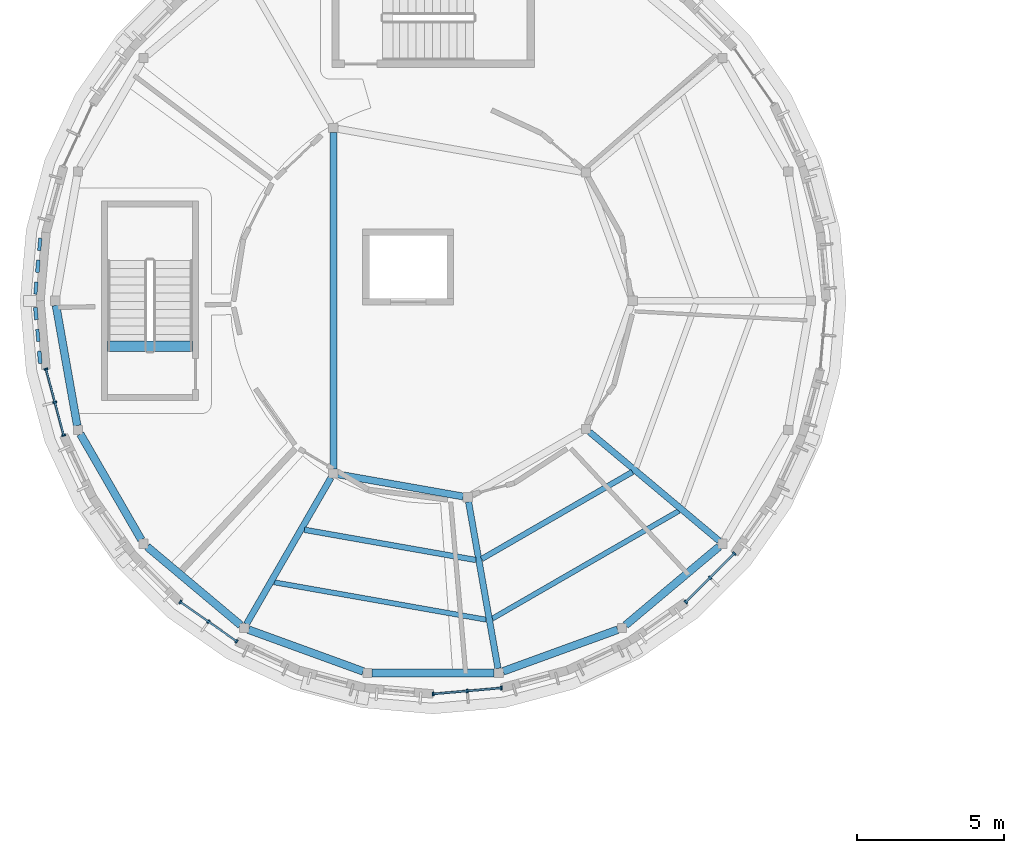
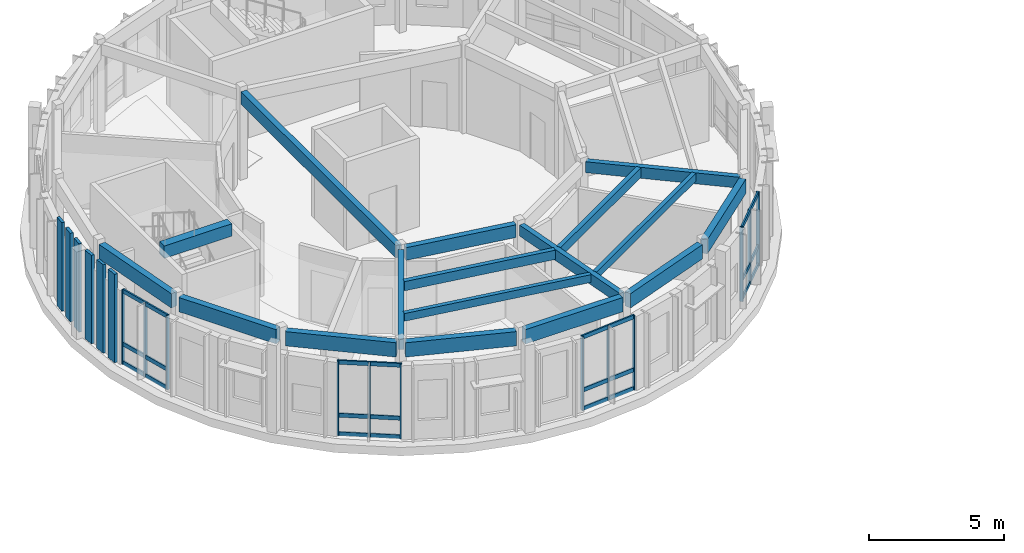
# One storey, part 6 of 37: 30 members, 17 beams, 4 elements without a shape of their own.
"""IFC4 building model written with IfcOpenShell, lengths in metres."""

from ifc_helpers import new_model, si_unit, direction, frame, origin, origin_2d, place, context, subcontext, project, spatial, rectangle, extrude, material, layer, layer_set, material_profile, profile_set, type_object, element, aggregate, save


model = new_model("IFC4")

# Units and contexts
model_context = context("Model", 3, precision=1e-05, world=origin(), true_north=direction((0.0, 1.0)))
body_context = subcontext(model_context, "Body", "Model", "MODEL_VIEW")
ifc_project = project(units=[si_unit("LENGTHUNIT", "METRE"), si_unit("AREAUNIT", "SQUARE_METRE"), si_unit("VOLUMEUNIT", "CUBIC_METRE"), si_unit("PLANEANGLEUNIT", "RADIAN"), si_unit("MASSUNIT", "GRAM", prefix="KILO")], contexts=[model_context])

# Site, building, storey
site_placement = place(None, origin())
site = spatial("IfcSite", under=ifc_project, at=site_placement, CompositionType="ELEMENT")
building_placement = place(site_placement, origin())
building = spatial("IfcBuilding", under=site, at=building_placement, Name="Aldenvaro Health Centre", CompositionType="ELEMENT")
storey_placement = place(building_placement, frame((0.0, 0.0, 12.949951171875)))
storey = spatial("IfcBuildingStorey", under=building, at=storey_placement, Name="L03", CompositionType="ELEMENT", Elevation=12.949951171875)

# Beams
ifc_material_1 = material(Name="Glulam GL28h", Category="wood")
ifc_material_profile_1 = material_profile(ifc_material_1, rectangle(XDim=0.175048828125, YDim=0.35009765625, at=origin_2d()), Name="GL 175x350", Category="wood")
ifc_profile_set_1 = profile_set([ifc_material_profile_1], Name="Glulam GL28h")
beam_type_1 = type_object("IfcBeamType", Name="BM-GL-350", PredefinedType="JOIST", material=ifc_profile_set_1)
beam_1_placement = place(storey_placement, frame((13.077880859375, 89.906982421875, 3.820068359375), z_axis=(0.984808635893, -0.173643170525, 0.0), x_axis=(0.173643170525, 0.984808635893, 0.0)))
element("IfcBeam", 1, at=beam_1_placement, inside=storey, type_object=beam_type_1, Name="D4 L03 secondary joist 04.2", PredefinedType="JOIST", context=body_context, shape_type="SweptSolid", body=[
    extrude(rectangle(XDim=0.175048828125, YDim=0.35009765625, at=origin_2d()), origin(), (0.0, 0.0, 1.0), 7.34765625),
])
beam_2_placement = place(storey_placement, frame((20.512939453125, 88.666015625, 3.820068359375), z_axis=(0.866036760986, 0.499980328234, 0.0), x_axis=(-0.499980328234, 0.866036760986, 0.0)))
element("IfcBeam", 2, at=beam_2_placement, inside=storey, type_object=beam_type_1, Name="D4 L03 secondary joist 05.2", PredefinedType="JOIST", context=body_context, shape_type="SweptSolid", body=[
    extrude(rectangle(XDim=0.175048828125, YDim=0.35009765625, at=origin_2d()), origin(), (0.0, 0.0, 1.0), 7.348388671875),
])
ifc_material_profile_2 = material_profile(ifc_material_1, rectangle(XDim=0.18994140625, YDim=0.41796875, at=origin_2d()), Name="GL 190x418", Category="wood")
ifc_profile_set_2 = profile_set([ifc_material_profile_2], Name="Glulam GL28h")
beam_type_2 = type_object("IfcBeamType", Name="BM-GL-418", PredefinedType="JOIST", material=ifc_profile_set_2)
beam_3_placement = place(storey_placement, frame((14.111083984375, 91.697021484375, 3.7861328125), z_axis=(0.98479184112, -0.173738394329, 0.0), x_axis=(0.173738394329, 0.98479184112, 0.0)))
element("IfcBeam", 3, at=beam_3_placement, inside=storey, type_object=beam_type_2, Name="D4 L03 secondary joist 04.1", PredefinedType="JOIST", context=body_context, shape_type="SweptSolid", body=[
    extrude(rectangle(XDim=0.18994140625, YDim=0.41796875, at=origin_2d()), origin(), (0.0, 0.0, 1.0), 5.934326171875),
])
beam_4_placement = place(storey_placement, frame((20.154052734375, 90.700927734375, 3.7861328125), z_axis=(0.866019093774, 0.5000109291, 0.0), x_axis=(-0.5000109291, 0.866019093774, 0.0)))
element("IfcBeam", 4, at=beam_4_placement, inside=storey, type_object=beam_type_2, Name="D4 L03 secondary joist 05.1", PredefinedType="JOIST", context=body_context, shape_type="SweptSolid", body=[
    extrude(rectangle(XDim=0.18994140625, YDim=0.41796875, at=origin_2d()), origin(), (0.0, 0.0, 1.0), 5.933837890625),
])
ifc_material_profile_3 = material_profile(ifc_material_1, rectangle(XDim=0.215087890625, YDim=0.493896484375, at=origin_2d()), Name="GL 215x494", Category="wood")
ifc_profile_set_3 = profile_set([ifc_material_profile_3], Name="Glulam GL28h")
beam_type_3 = type_object("IfcBeamType", Name="BM-GL-494", PredefinedType="BEAM", material=ifc_profile_set_3)
beam_5_placement = place(storey_placement, frame((15.02099609375, 93.47509765625, 3.748046875), z_axis=(-0.499905742083, -0.866079816779, 0.0), x_axis=(0.866079816779, -0.499905742083, 0.0)))
element("IfcBeam", 5, at=beam_5_placement, inside=storey, type_object=beam_type_3, Name="D4 L03 radial beam 04", PredefinedType="BEAM", context=body_context, shape_type="SweptSolid", body=[
    extrude(rectangle(XDim=0.215087890625, YDim=0.493896484375, at=origin_2d()), origin(), (0.0, 0.0, 1.0), 5.76513671875),
])
beam_6_placement = place(storey_placement, frame((19.7080078125, 92.64794921875, 3.748046875), z_axis=(0.173807077658, -0.984779721438, 0.0), x_axis=(0.984779721438, 0.173807077658, 0.0)))
element("IfcBeam", 6, at=beam_6_placement, inside=storey, type_object=beam_type_3, Name="D4 L03 radial beam 05", PredefinedType="BEAM", context=body_context, shape_type="SweptSolid", body=[
    extrude(rectangle(XDim=0.215087890625, YDim=0.493896484375, at=origin_2d()), origin(), (0.0, 0.0, 1.0), 5.7646484375),
])
beam_7_placement = place(storey_placement, frame((23.830078125, 95.028076171875, 3.748046875), z_axis=(0.765995106671, -0.642846401994, 0.0), x_axis=(0.642846401994, 0.765995106671, 0.0)))
element("IfcBeam", 7, at=beam_7_placement, inside=storey, type_object=beam_type_3, Name="D4 L03 radial beam 06", PredefinedType="BEAM", context=body_context, shape_type="SweptSolid", body=[
    extrude(rectangle(XDim=0.215087890625, YDim=0.493896484375, at=origin_2d()), origin(), (0.0, 0.0, 1.0), 5.76513671875),
])
ifc_material_profile_4 = material_profile(ifc_material_1, rectangle(XDim=0.239990234375, YDim=0.570068359375, at=origin_2d()), Name="GL 240x570", Category="wood")
ifc_profile_set_4 = profile_set([ifc_material_profile_4], Name="Glulam GL28h")
beam_type_4 = type_object("IfcBeamType", Name="BM-GL-570", PredefinedType="BEAM", material=ifc_profile_set_4)
beam_8_placement = place(storey_placement, frame((15.10009765625, 105.23095703125, 3.7099609375), z_axis=(0.0, -1.0, 0.0), x_axis=(1.0, 0.0, 0.0)))
element("IfcBeam", 8, at=beam_8_placement, inside=storey, type_object=beam_type_4, Name="D4 L03 inner ring beam 03", PredefinedType="BEAM", context=body_context, shape_type="SweptSolid", body=[
    extrude(rectangle(XDim=0.239990234375, YDim=0.570068359375, at=origin_2d()), origin(), (0.0, 0.0, 1.0), 11.4619140625),
])
beam_9_placement = place(storey_placement, frame((15.2548828125, 93.583984375, 3.7099609375), z_axis=(0.984775623993, -0.173830291922, 0.0), x_axis=(0.173830291922, 0.984775623993, 0.0)))
element("IfcBeam", 9, at=beam_9_placement, inside=storey, type_object=beam_type_4, Name="D4 L03 inner ring beam 04", PredefinedType="BEAM", context=body_context, shape_type="SweptSolid", body=[
    extrude(rectangle(XDim=0.239990234375, YDim=0.570068359375, at=origin_2d()), origin(), (0.0, 0.0, 1.0), 4.3369140625),
])
ifc_material_profile_5 = material_profile(ifc_material_1, rectangle(XDim=0.264892578125, YDim=0.64599609375, at=origin_2d()), Name="GL 265x646", Category="wood")
ifc_profile_set_5 = profile_set([ifc_material_profile_5], Name="Glulam GL28h")
beam_type_5 = type_object("IfcBeamType", Name="BM-GL-646", PredefinedType="SPANDREL", material=ifc_profile_set_5)
for number, where, z_axis, x_axis, name in (
    (10, (5.64697265625, 99.344970703125, 3.672119140625), (0.173902558049, -0.984762865011, 0.0), (0.984762865011, 0.173902558049, 0.0), "D4 L03 perimeter spandrel 10"),
    (11, (6.47607421875, 94.958984375, 3.672119140625), (0.499681792437, -0.866209043076, 0.0), (0.866209043076, 0.499681792437, 0.0), "D4 L03 perimeter spandrel 11"),
):
    element("IfcBeam", number, at=place(storey_placement, frame(where, z_axis=z_axis, x_axis=x_axis)), inside=storey, type_object=beam_type_5, Name=name, PredefinedType="SPANDREL", context=body_context, shape_type="SweptSolid", body=[
        extrude(rectangle(XDim=0.264892578125, YDim=0.64599609375, at=origin_2d()), origin(), (0.0, 0.0, 1.0), 4.158447265625),
    ])
beam_10_placement = place(storey_placement, frame((8.75390625, 91.1201171875, 3.672119140625), z_axis=(0.765983546938, -0.642860175948, 0.0), x_axis=(0.642860175948, 0.765983546938, 0.0)))
element("IfcBeam", 12, at=beam_10_placement, inside=storey, type_object=beam_type_5, Name="D4 L03 perimeter spandrel 12", PredefinedType="SPANDREL", context=body_context, shape_type="SweptSolid", body=[
    extrude(rectangle(XDim=0.264892578125, YDim=0.64599609375, at=origin_2d()), origin(), (0.0, 0.0, 1.0), 4.158203125),
])
beam_11_placement = place(storey_placement, frame((12.2080078125, 88.2919921875, 3.672119140625), z_axis=(0.93970423921, -0.341988220281, 0.0), x_axis=(0.341988220281, 0.93970423921, 0.0)))
element("IfcBeam", 13, at=beam_11_placement, inside=storey, type_object=beam_type_5, Name="D4 L03 perimeter spandrel 13", PredefinedType="SPANDREL", context=body_context, shape_type="SweptSolid", body=[
    extrude(rectangle(XDim=0.264892578125, YDim=0.64599609375, at=origin_2d()), origin(), (0.0, 0.0, 1.0), 4.15771484375),
])
beam_12_placement = place(storey_placement, frame((16.4208984375, 86.81591796875, 3.672119140625), z_axis=(1.0, 0.0, 0.0), x_axis=(0.0, 1.0, 0.0)))
element("IfcBeam", 14, at=beam_12_placement, inside=storey, type_object=beam_type_5, Name="D4 L03 perimeter spandrel 14", PredefinedType="SPANDREL", context=body_context, shape_type="SweptSolid", body=[
    extrude(rectangle(XDim=0.264892578125, YDim=0.64599609375, at=origin_2d()), origin(), (0.0, 0.0, 1.0), 4.158203125),
])
beam_13_placement = place(storey_placement, frame((20.885009765625, 86.8701171875, 3.672119140625), z_axis=(0.93970423921, 0.341988220281, 0.0), x_axis=(-0.341988220281, 0.93970423921, 0.0)))
element("IfcBeam", 15, at=beam_13_placement, inside=storey, type_object=beam_type_5, Name="D4 L03 perimeter spandrel 15", PredefinedType="SPANDREL", context=body_context, shape_type="SweptSolid", body=[
    extrude(rectangle(XDim=0.264892578125, YDim=0.64599609375, at=origin_2d()), origin(), (0.0, 0.0, 1.0), 4.15771484375),
])
beam_14_placement = place(storey_placement, frame((25.06103515625, 88.447021484375, 3.672119140625), z_axis=(0.765983546938, 0.642860175948, 0.0), x_axis=(-0.642860175948, 0.765983546938, 0.0)))
element("IfcBeam", 16, at=beam_14_placement, inside=storey, type_object=beam_type_5, Name="D4 L03 perimeter spandrel 16", PredefinedType="SPANDREL", context=body_context, shape_type="SweptSolid", body=[
    extrude(rectangle(XDim=0.264892578125, YDim=0.64599609375, at=origin_2d()), origin(), (0.0, 0.0, 1.0), 4.158203125),
])
ifc_material_2 = material(Name="Concrete f'c 40 MPa", Category="concrete")
ifc_material_profile_6 = material_profile(ifc_material_2, rectangle(XDim=0.35009765625, YDim=0.56005859375, at=origin_2d()), Name="RC 350x560", Category="concrete")
ifc_profile_set_6 = profile_set([ifc_material_profile_6], Name="Concrete f'c 40 MPa")
beam_type_6 = type_object("IfcBeamType", Name="BM-RC-560", PredefinedType="JOIST", material=ifc_profile_set_6)
beam_15_placement = place(storey_placement, frame((10.300048828125, 97.949951171875, 3.920166015625), z_axis=(-1.0, 0.0, 0.0), x_axis=(0.0, -1.0, 0.0)))
element("IfcBeam", 17, at=beam_15_placement, inside=storey, type_object=beam_type_6, Name="ST-08 L04 stair landing trimmer beam", PredefinedType="JOIST", context=body_context, shape_type="SweptSolid", body=[
    extrude(rectangle(XDim=0.35009765625, YDim=0.56005859375, at=origin_2d()), origin(), (0.0, 0.0, 1.0), 2.900146484375),
])

# Curtain wall, members
ifc_material_3 = material(Name="Anodised Aluminium 6063-T6", Category="aluminium")
ifc_layer = layer(ifc_material_3, 0.22509765625, Name="Anodised Aluminium 6063-T6", Category="aluminium")
ifc_layer_set = layer_set([ifc_layer], Name="Anodised Aluminium 6063-T6")
curtain_wall_type = type_object("IfcCurtainWallType", Name="CW-TER-04", PredefinedType="NOTDEFINED", material=ifc_layer_set)
curtain_wall_1_placement = place(storey_placement, origin())
curtain_wall_1 = element("IfcCurtainWall", 18, at=curtain_wall_1_placement, inside=storey, type_object=curtain_wall_type, Name="D4 L03 curtain wall bay 05", PredefinedType="NOTDEFINED")
ifc_material_profile_7 = material_profile(ifc_material_3, rectangle(XDim=0.06005859375, YDim=0.135009765625, at=origin_2d()), Name="ALU 60x135", Category="aluminium")
ifc_profile_set_7 = profile_set([ifc_material_profile_7], Name="Anodised Aluminium 6063-T6")
member_type_1 = type_object("IfcMemberType", Name="CWM-150", PredefinedType="MULLION", material=ifc_profile_set_7)
member_1_placement = place(storey_placement, frame((28.764892578125, 90.886962890625, 0.0), z_axis=(0.0, 0.0, 1.0), x_axis=(-0.707106781187, -0.707106781187, 0.0)))
member_1 = element("IfcMember", 19, at=member_1_placement, type_object=member_type_1, Name="D4 L03 curtain wall bay 05 mullion 1", PredefinedType="MULLION", context=body_context, shape_type="SweptSolid", body=[
    extrude(rectangle(XDim=0.06005859375, YDim=0.135009765625, at=origin_2d()), origin(), (0.0, 0.0, 1.0), 3.34912109375),
])
member_2_placement = place(storey_placement, frame((27.93896484375, 90.06103515625, 0.0), z_axis=(0.0, 0.0, 1.0), x_axis=(-0.707106781187, -0.707106781187, 0.0)))
member_2 = element("IfcMember", 20, at=member_2_placement, type_object=member_type_1, Name="D4 L03 curtain wall bay 05 mullion 2", PredefinedType="MULLION", context=body_context, shape_type="SweptSolid", body=[
    extrude(rectangle(XDim=0.06005859375, YDim=0.135009765625, at=origin_2d()), origin(), (0.0, 0.0, 1.0), 3.34912109375),
])
member_3_placement = place(storey_placement, frame((27.113037109375, 89.235107421875, 0.0), z_axis=(0.0, 0.0, 1.0), x_axis=(-0.707106781187, -0.707106781187, 0.0)))
member_3 = element("IfcMember", 21, at=member_3_placement, type_object=member_type_1, Name="D4 L03 curtain wall bay 05 mullion 3", PredefinedType="MULLION", context=body_context, shape_type="SweptSolid", body=[
    extrude(rectangle(XDim=0.06005859375, YDim=0.135009765625, at=origin_2d()), origin(), (0.0, 0.0, 1.0), 3.34912109375),
])

curtain_wall_2_placement = place(storey_placement, origin())
curtain_wall_2 = element("IfcCurtainWall", 22, at=curtain_wall_2_placement, inside=storey, type_object=curtain_wall_type, Name="D4 L03 curtain wall bay 09", PredefinedType="NOTDEFINED")
member_4_placement = place(storey_placement, frame((20.826904296875, 86.303955078125, 0.0), z_axis=(0.0, 0.0, 1.0), x_axis=(-0.996179299052, -0.087331575855, 0.0)))
member_4 = element("IfcMember", 23, at=member_4_placement, type_object=member_type_1, Name="D4 L03 curtain wall bay 09 mullion 1", PredefinedType="MULLION", context=body_context, shape_type="SweptSolid", body=[
    extrude(rectangle(XDim=0.06005859375, YDim=0.135009765625, at=origin_2d()), origin(), (0.0, 0.0, 1.0), 3.34912109375),
])
member_5_placement = place(storey_placement, frame((19.6630859375, 86.201904296875, 0.0), z_axis=(0.0, 0.0, 1.0), x_axis=(-0.996179299052, -0.087331575855, 0.0)))
member_5 = element("IfcMember", 24, at=member_5_placement, type_object=member_type_1, Name="D4 L03 curtain wall bay 09 mullion 2", PredefinedType="MULLION", context=body_context, shape_type="SweptSolid", body=[
    extrude(rectangle(XDim=0.06005859375, YDim=0.135009765625, at=origin_2d()), origin(), (0.0, 0.0, 1.0), 3.34912109375),
])
member_6_placement = place(storey_placement, frame((18.5, 86.10009765625, 0.0), z_axis=(0.0, 0.0, 1.0), x_axis=(-0.996179299052, -0.087331575855, 0.0)))
member_6 = element("IfcMember", 25, at=member_6_placement, type_object=member_type_1, Name="D4 L03 curtain wall bay 09 mullion 3", PredefinedType="MULLION", context=body_context, shape_type="SweptSolid", body=[
    extrude(rectangle(XDim=0.06005859375, YDim=0.135009765625, at=origin_2d()), origin(), (0.0, 0.0, 1.0), 3.34912109375),
])

curtain_wall_3_placement = place(storey_placement, origin())
curtain_wall_3 = element("IfcCurtainWall", 26, at=curtain_wall_3_placement, inside=storey, type_object=curtain_wall_type, Name="D4 L03 curtain wall bay 13", PredefinedType="NOTDEFINED")
member_7_placement = place(storey_placement, frame((11.800048828125, 87.89501953125, 0.0), z_axis=(0.0, 0.0, 1.0), x_axis=(-0.819050849853, 0.573720929857, 0.0)))
member_7 = element("IfcMember", 27, at=member_7_placement, type_object=member_type_1, Name="D4 L03 curtain wall bay 13 mullion 1", PredefinedType="MULLION", context=body_context, shape_type="SweptSolid", body=[
    extrude(rectangle(XDim=0.06005859375, YDim=0.135009765625, at=origin_2d()), origin(), (0.0, 0.0, 1.0), 3.34912109375),
])
member_8_placement = place(storey_placement, frame((10.843994140625, 88.56494140625, 0.0), z_axis=(0.0, 0.0, 1.0), x_axis=(-0.819050849853, 0.573720929857, 0.0)))
member_8 = element("IfcMember", 28, at=member_8_placement, type_object=member_type_1, Name="D4 L03 curtain wall bay 13 mullion 2", PredefinedType="MULLION", context=body_context, shape_type="SweptSolid", body=[
    extrude(rectangle(XDim=0.06005859375, YDim=0.135009765625, at=origin_2d()), origin(), (0.0, 0.0, 1.0), 3.34912109375),
])
member_9_placement = place(storey_placement, frame((9.886962890625, 89.235107421875, 0.0), z_axis=(0.0, 0.0, 1.0), x_axis=(-0.819050849853, 0.573720929857, 0.0)))
member_9 = element("IfcMember", 29, at=member_9_placement, type_object=member_type_1, Name="D4 L03 curtain wall bay 13 mullion 3", PredefinedType="MULLION", context=body_context, shape_type="SweptSolid", body=[
    extrude(rectangle(XDim=0.06005859375, YDim=0.135009765625, at=origin_2d()), origin(), (0.0, 0.0, 1.0), 3.34912109375),
])

curtain_wall_4_placement = place(storey_placement, origin())
curtain_wall_4 = element("IfcCurtainWall", 30, at=curtain_wall_4_placement, inside=storey, type_object=curtain_wall_type, Name="D4 L03 curtain wall bay 17", PredefinedType="NOTDEFINED")
member_10_placement = place(storey_placement, frame((5.907958984375, 94.9169921875, 0.0), z_axis=(0.0, 0.0, 1.0), x_axis=(-0.258621935517, 0.965978620089, 0.0)))
member_10 = element("IfcMember", 31, at=member_10_placement, type_object=member_type_1, Name="D4 L03 curtain wall bay 17 mullion 1", PredefinedType="MULLION", context=body_context, shape_type="SweptSolid", body=[
    extrude(rectangle(XDim=0.06005859375, YDim=0.135009765625, at=origin_2d()), origin(), (0.0, 0.0, 1.0), 3.34912109375),
])
member_11_placement = place(storey_placement, frame((5.60595703125, 96.044921875, 0.0), z_axis=(0.0, 0.0, 1.0), x_axis=(-0.258621935517, 0.965978620089, 0.0)))
member_11 = element("IfcMember", 32, at=member_11_placement, type_object=member_type_1, Name="D4 L03 curtain wall bay 17 mullion 2", PredefinedType="MULLION", context=body_context, shape_type="SweptSolid", body=[
    extrude(rectangle(XDim=0.06005859375, YDim=0.135009765625, at=origin_2d()), origin(), (0.0, 0.0, 1.0), 3.34912109375),
])
member_12_placement = place(storey_placement, frame((5.303955078125, 97.173095703125, 0.0), z_axis=(0.0, 0.0, 1.0), x_axis=(-0.258621935517, 0.965978620089, 0.0)))
member_12 = element("IfcMember", 33, at=member_12_placement, type_object=member_type_1, Name="D4 L03 curtain wall bay 17 mullion 3", PredefinedType="MULLION", context=body_context, shape_type="SweptSolid", body=[
    extrude(rectangle(XDim=0.06005859375, YDim=0.135009765625, at=origin_2d()), origin(), (0.0, 0.0, 1.0), 3.34912109375),
])

# Member
ifc_material_profile_8 = material_profile(ifc_material_3, rectangle(XDim=0.06494140625, YDim=0.179931640625, at=origin_2d()), Name="ALU 65x180", Category="aluminium")
ifc_profile_set_8 = profile_set([ifc_material_profile_8], Name="Anodised Aluminium 6063-T6")
member_type_2 = type_object("IfcMemberType", Name="CWT-150", PredefinedType="USERDEFINED", material=ifc_profile_set_8)
member_13_placement = place(storey_placement, frame((28.764892578125, 90.886962890625, 0.06005859375), z_axis=(-0.707106781187, -0.707106781187, 0.0), x_axis=(0.707106781187, -0.707106781187, 0.0)))
member_13 = element("IfcMember", 34, at=member_13_placement, type_object=member_type_2, Name="D4 L03 curtain wall bay 05 transom 1", ObjectType="TRANSOM", PredefinedType="USERDEFINED", context=body_context, shape_type="SweptSolid", body=[
    extrude(rectangle(XDim=0.06494140625, YDim=0.179931640625, at=origin_2d()), origin(), (0.0, 0.0, 1.0), 2.336181640625),
])

member_14_placement = place(storey_placement, frame((28.764892578125, 90.886962890625, 0.900146484375), z_axis=(-0.707106781187, -0.707106781187, 0.0), x_axis=(0.707106781187, -0.707106781187, 0.0)))
member_14 = element("IfcMember", 35, at=member_14_placement, type_object=member_type_2, Name="D4 L03 curtain wall bay 05 transom 2", ObjectType="TRANSOM", PredefinedType="USERDEFINED", context=body_context, shape_type="SweptSolid", body=[
    extrude(rectangle(XDim=0.06494140625, YDim=0.179931640625, at=origin_2d()), origin(), (0.0, 0.0, 1.0), 2.336181640625),
])

member_15_placement = place(storey_placement, frame((28.764892578125, 90.886962890625, 3.2890625), z_axis=(-0.707106781187, -0.707106781187, 0.0), x_axis=(0.707106781187, -0.707106781187, 0.0)))
member_15 = element("IfcMember", 36, at=member_15_placement, type_object=member_type_2, Name="D4 L03 curtain wall bay 05 transom 3", ObjectType="TRANSOM", PredefinedType="USERDEFINED", context=body_context, shape_type="SweptSolid", body=[
    extrude(rectangle(XDim=0.06494140625, YDim=0.179931640625, at=origin_2d()), origin(), (0.0, 0.0, 1.0), 2.336181640625),
])

aggregate(curtain_wall_1, [member_1, member_2, member_3, member_13, member_14, member_15])

member_16_placement = place(storey_placement, frame((20.826904296875, 86.303955078125, 0.06005859375), z_axis=(-0.996184295282, -0.087274565792, 0.0), x_axis=(0.087274565792, -0.996184295282, 0.0)))
member_16 = element("IfcMember", 37, at=member_16_placement, type_object=member_type_2, Name="D4 L03 curtain wall bay 09 transom 1", ObjectType="TRANSOM", PredefinedType="USERDEFINED", context=body_context, shape_type="SweptSolid", body=[
    extrude(rectangle(XDim=0.06494140625, YDim=0.179931640625, at=origin_2d()), origin(), (0.0, 0.0, 1.0), 2.3359375),
])

member_17_placement = place(storey_placement, frame((20.826904296875, 86.303955078125, 0.900146484375), z_axis=(-0.996184295282, -0.087274565792, 0.0), x_axis=(0.087274565792, -0.996184295282, 0.0)))
member_17 = element("IfcMember", 38, at=member_17_placement, type_object=member_type_2, Name="D4 L03 curtain wall bay 09 transom 2", ObjectType="TRANSOM", PredefinedType="USERDEFINED", context=body_context, shape_type="SweptSolid", body=[
    extrude(rectangle(XDim=0.06494140625, YDim=0.179931640625, at=origin_2d()), origin(), (0.0, 0.0, 1.0), 2.3359375),
])

member_18_placement = place(storey_placement, frame((20.826904296875, 86.303955078125, 3.2890625), z_axis=(-0.996184295282, -0.087274565792, 0.0), x_axis=(0.087274565792, -0.996184295282, 0.0)))
member_18 = element("IfcMember", 39, at=member_18_placement, type_object=member_type_2, Name="D4 L03 curtain wall bay 09 transom 3", ObjectType="TRANSOM", PredefinedType="USERDEFINED", context=body_context, shape_type="SweptSolid", body=[
    extrude(rectangle(XDim=0.06494140625, YDim=0.179931640625, at=origin_2d()), origin(), (0.0, 0.0, 1.0), 2.3359375),
])

aggregate(curtain_wall_2, [member_4, member_5, member_6, member_16, member_17, member_18])

member_19_placement = place(storey_placement, frame((11.800048828125, 87.89501953125, 0.06005859375), z_axis=(-0.819045278347, 0.573728883722, 0.0), x_axis=(-0.573728883722, -0.819045278347, 0.0)))
member_19 = element("IfcMember", 40, at=member_19_placement, type_object=member_type_2, Name="D4 L03 curtain wall bay 13 transom 1", ObjectType="TRANSOM", PredefinedType="USERDEFINED", context=body_context, shape_type="SweptSolid", body=[
    extrude(rectangle(XDim=0.06494140625, YDim=0.179931640625, at=origin_2d()), origin(), (0.0, 0.0, 1.0), 2.335693359375),
])

member_20_placement = place(storey_placement, frame((11.800048828125, 87.89501953125, 0.900146484375), z_axis=(-0.819045278347, 0.573728883722, 0.0), x_axis=(-0.573728883722, -0.819045278347, 0.0)))
member_20 = element("IfcMember", 41, at=member_20_placement, type_object=member_type_2, Name="D4 L03 curtain wall bay 13 transom 2", ObjectType="TRANSOM", PredefinedType="USERDEFINED", context=body_context, shape_type="SweptSolid", body=[
    extrude(rectangle(XDim=0.06494140625, YDim=0.179931640625, at=origin_2d()), origin(), (0.0, 0.0, 1.0), 2.335693359375),
])

member_21_placement = place(storey_placement, frame((11.800048828125, 87.89501953125, 3.2890625), z_axis=(-0.819045278347, 0.573728883722, 0.0), x_axis=(-0.573728883722, -0.819045278347, 0.0)))
member_21 = element("IfcMember", 42, at=member_21_placement, type_object=member_type_2, Name="D4 L03 curtain wall bay 13 transom 3", ObjectType="TRANSOM", PredefinedType="USERDEFINED", context=body_context, shape_type="SweptSolid", body=[
    extrude(rectangle(XDim=0.06494140625, YDim=0.179931640625, at=origin_2d()), origin(), (0.0, 0.0, 1.0), 2.335693359375),
])

aggregate(curtain_wall_3, [member_7, member_8, member_9, member_19, member_20, member_21])

member_22_placement = place(storey_placement, frame((5.907958984375, 94.9169921875, 0.06005859375), z_axis=(-0.258612423585, 0.965981166673, 0.0), x_axis=(-0.965981166673, -0.258612423585, 0.0)))
member_22 = element("IfcMember", 43, at=member_22_placement, type_object=member_type_2, Name="D4 L03 curtain wall bay 17 transom 1", ObjectType="TRANSOM", PredefinedType="USERDEFINED", context=body_context, shape_type="SweptSolid", body=[
    extrude(rectangle(XDim=0.06494140625, YDim=0.179931640625, at=origin_2d()), origin(), (0.0, 0.0, 1.0), 2.33544921875),
])

member_23_placement = place(storey_placement, frame((5.907958984375, 94.9169921875, 0.900146484375), z_axis=(-0.258612423585, 0.965981166673, 0.0), x_axis=(-0.965981166673, -0.258612423585, 0.0)))
member_23 = element("IfcMember", 44, at=member_23_placement, type_object=member_type_2, Name="D4 L03 curtain wall bay 17 transom 2", ObjectType="TRANSOM", PredefinedType="USERDEFINED", context=body_context, shape_type="SweptSolid", body=[
    extrude(rectangle(XDim=0.06494140625, YDim=0.179931640625, at=origin_2d()), origin(), (0.0, 0.0, 1.0), 2.33544921875),
])

member_24_placement = place(storey_placement, frame((5.907958984375, 94.9169921875, 3.2890625), z_axis=(-0.258612423585, 0.965981166673, 0.0), x_axis=(-0.965981166673, -0.258612423585, 0.0)))
member_24 = element("IfcMember", 45, at=member_24_placement, type_object=member_type_2, Name="D4 L03 curtain wall bay 17 transom 3", ObjectType="TRANSOM", PredefinedType="USERDEFINED", context=body_context, shape_type="SweptSolid", body=[
    extrude(rectangle(XDim=0.06494140625, YDim=0.179931640625, at=origin_2d()), origin(), (0.0, 0.0, 1.0), 2.33544921875),
])

aggregate(curtain_wall_4, [member_10, member_11, member_12, member_22, member_23, member_24])

# Members
ifc_material_profile_9 = material_profile(ifc_material_1, rectangle(XDim=0.114990234375, YDim=0.419921875, at=origin_2d()), Name="GL 115x420", Category="wood")
ifc_profile_set_9 = profile_set([ifc_material_profile_9], Name="Glulam GL28h")
member_type_3 = type_object("IfcMemberType", Name="MEM-SLT-420A", PredefinedType="POST", material=ifc_profile_set_9)
for number, where, z_axis, x_axis, name in (
    (46, (5.028076171875, 98.321044921875, 0.0), (0.0, 0.0, 1.0), (-0.996179299052, -0.087331575855, 0.0), "D4 L03 vertical timber slat 18.2"),
    (47, (4.9619140625, 99.93408203125, 0.0), (0.0, 0.0, 1.0), (-0.996179299052, 0.087331575855, 0.0), "D4 L03 vertical timber slat 19.1"),
    (48, (5.093017578125, 101.424072265625, 0.0), (0.0, 0.0, 1.0), (-0.996179299052, 0.087331575855, 0.0), "D4 L03 vertical timber slat 19.3"),
):
    element("IfcMember", number, at=place(storey_placement, frame(where, z_axis=z_axis, x_axis=x_axis)), inside=storey, type_object=member_type_3, Name=name, PredefinedType="POST", context=body_context, shape_type="SweptSolid", body=[
        extrude(rectangle(XDim=0.114990234375, YDim=0.419921875, at=origin_2d()), origin(), (0.0, 0.0, 1.0), 3.9951171875),
    ])
ifc_material_profile_10 = material_profile(ifc_material_1, rectangle(XDim=0.1298828125, YDim=0.419921875, at=origin_2d()), Name="GL 130x420", Category="wood")
ifc_profile_set_10 = profile_set([ifc_material_profile_10], Name="Glulam GL28h")
member_type_4 = type_object("IfcMemberType", Name="MEM-SLT-420B", PredefinedType="POST", material=ifc_profile_set_10)
for number, where, z_axis, x_axis, name in (
    (49, (5.093017578125, 97.575927734375, 0.0), (0.0, 0.0, 1.0), (-0.996179299052, -0.087331575855, 0.0), "D4 L03 vertical timber slat 18.1"),
    (50, (4.9619140625, 99.06591796875, 0.0), (0.0, 0.0, 1.0), (-0.996179299052, -0.087331575855, 0.0), "D4 L03 vertical timber slat 18.3"),
    (51, (5.028076171875, 100.678955078125, 0.0), (0.0, 0.0, 1.0), (-0.996179299052, 0.087331575855, 0.0), "D4 L03 vertical timber slat 19.2"),
):
    element("IfcMember", number, at=place(storey_placement, frame(where, z_axis=z_axis, x_axis=x_axis)), inside=storey, type_object=member_type_4, Name=name, PredefinedType="POST", context=body_context, shape_type="SweptSolid", body=[
        extrude(rectangle(XDim=0.1298828125, YDim=0.419921875, at=origin_2d()), origin(), (0.0, 0.0, 1.0), 3.9951171875),
    ])

save(model, "model.ifc")
